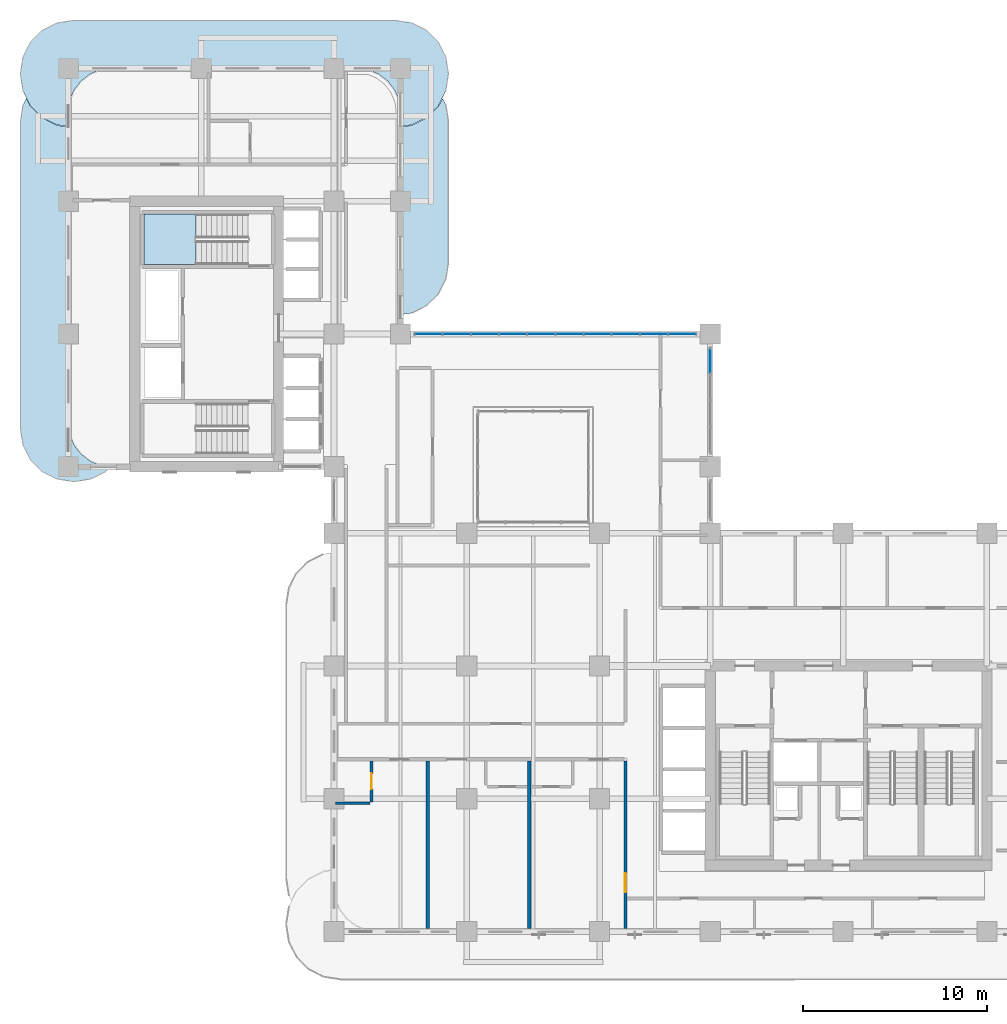
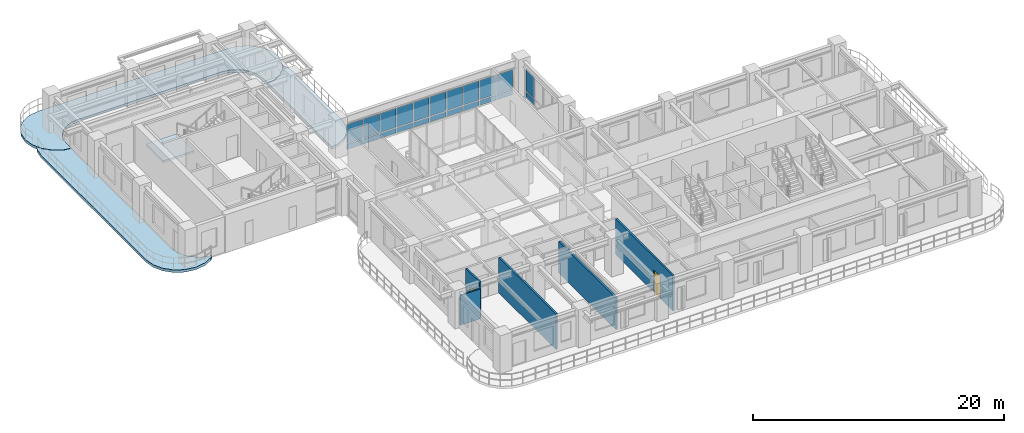
# One storey, part 11 of 22: 22 plates, 5 walls, 4 slabs, 2 doors, 2 openings, 3 elements without a shape of their own.
"""IFC4 building model written with IfcOpenShell, lengths in metres."""

from ifc_helpers import new_model, si_unit, derived_unit, direction, frame, frame_2d, origin, origin_2d, place, context, subcontext, project, spatial, polyline, rectangle, outline, extrude, source, transform, mapped, material, layer, layer_set, type_object, type_shapes, element, fill, aggregate, save


model = new_model("IFC4")

# Units and contexts
model_context = context("Model", 3, precision=1e-05, world=origin(), true_north=direction((0.0, 1.0)))
body_context = subcontext(model_context, "Body", "Model", "MODEL_VIEW")
ifc_project = project(units=[si_unit("LENGTHUNIT", "METRE"), si_unit("AREAUNIT", "SQUARE_METRE"), si_unit("VOLUMEUNIT", "CUBIC_METRE"), si_unit("PLANEANGLEUNIT", "RADIAN"), si_unit("MASSUNIT", "GRAM", prefix="KILO"), si_unit("THERMODYNAMICTEMPERATUREUNIT", "KELVIN"), si_unit("POWERUNIT", "WATT"), derived_unit("THERMALTRANSMITTANCEUNIT", [(si_unit("POWERUNIT", "WATT"), 1), (si_unit("AREAUNIT", "SQUARE_METRE"), -1), (si_unit("THERMODYNAMICTEMPERATUREUNIT", "KELVIN"), -1)])], contexts=[model_context])

# Site, building, storey
site_placement = place(None, origin())
site = spatial("IfcSite", under=ifc_project, at=site_placement, CompositionType="ELEMENT")
building_placement = place(site_placement, origin())
building = spatial("IfcBuilding", under=site, at=building_placement, Name="Zahravan Archway Hotel and Residences", CompositionType="ELEMENT")
storey_placement = place(building_placement, frame((0.0, 0.0, 76.800048828125)))
storey = spatial("IfcBuildingStorey", under=building, at=storey_placement, Name="L18", CompositionType="ELEMENT", Elevation=76.800048828125)

# Slabs
ifc_material_1 = material(Name="Concrete C45/55", Category="concrete")
ifc_layer_1 = layer(ifc_material_1, 0.25, Name="Concrete C45/55", Category="concrete")
ifc_layer_set_1 = layer_set([ifc_layer_1], Name="Concrete C45/55")
slab_type_1 = type_object("IfcSlabType", Name="SLB-BALC-250", PredefinedType="FLOOR", material=ifc_layer_set_1)
slab_1_placement = place(storey_placement, frame((0.0, 0.0, -0.25)))
element("IfcSlab", 1, at=slab_1_placement, inside=storey, type_object=slab_type_1, Name="L18 Wing B North Rounded Balcony Band", PredefinedType="FLOOR", context=body_context, shape_type="SweptSolid", body=[
    extrude(outline(polyline([(-0.630615234375, 43.739501953125), (-1.42529296875, 44.144287109375), (-2.0556640625, 44.77490234375), (-2.46044921875, 45.5693359375), (-2.60009765625, 46.449951171875), (-2.60009765625, 46.550048828125), (-2.46044921875, 47.4306640625), (-2.0556640625, 48.22509765625), (-1.42529296875, 48.855712890625), (-0.630615234375, 49.260498046875), (0.25, 49.39990234375), (17.75, 49.39990234375), (18.630615234375, 49.260498046875), (19.42529296875, 48.855712890625), (20.0556640625, 48.22509765625), (20.46044921875, 47.4306640625), (20.60009765625, 46.550048828125), (20.60009765625, 46.449951171875), (20.46044921875, 45.5693359375), (20.0556640625, 44.77490234375), (19.42529296875, 44.144287109375), (18.630615234375, 43.739501953125), (18.02001953125, 43.642822265625), (18.02001953125, 44.39990234375), (18.019775390625, 44.402587890625), (17.93798828125, 45.023681640625), (17.937744140625, 45.025390625), (17.937255859375, 45.027099609375), (17.936767578125, 45.02880859375), (17.697021484375, 45.607666015625), (17.6962890625, 45.609130859375), (17.6953125, 45.610595703125), (17.6943359375, 45.6123046875), (17.31298828125, 46.109375), (17.311767578125, 46.110595703125), (17.310546875, 46.11181640625), (17.309326171875, 46.113037109375), (16.812255859375, 46.494384765625), (16.810791015625, 46.495361328125), (16.80908203125, 46.49609375), (16.8076171875, 46.4970703125), (16.22900390625, 46.73681640625), (16.227294921875, 46.7373046875), (16.2255859375, 46.73779296875), (16.223876953125, 46.738037109375), (15.6025390625, 46.81982421875), (15.60009765625, 46.820068359375), (2.39990234375, 46.820068359375), (2.3974609375, 46.81982421875), (1.776123046875, 46.738037109375), (1.7744140625, 46.73779296875), (1.772705078125, 46.7373046875), (1.77099609375, 46.73681640625), (1.1923828125, 46.4970703125), (1.19091796875, 46.49609375), (1.189208984375, 46.495361328125), (1.187744140625, 46.494384765625), (0.690673828125, 46.113037109375), (0.689453125, 46.11181640625), (0.688232421875, 46.110595703125), (0.68701171875, 46.109375), (0.3056640625, 45.6123046875), (0.3046875, 45.610595703125), (0.3037109375, 45.609130859375), (0.302978515625, 45.607666015625), (0.063232421875, 45.02880859375), (0.062744140625, 45.027099609375), (0.062255859375, 45.025390625), (0.06201171875, 45.023681640625), (-0.019775390625, 44.402587890625), (-0.02001953125, 44.39990234375), (-0.02001953125, 43.642822265625), (-0.630615234375, 43.739501953125)])), origin(), (0.0, 0.0, 1.0), 0.25),
])
slab_2_placement = place(storey_placement, frame((0.0, 0.0, -0.25)))
element("IfcSlab", 2, at=slab_2_placement, inside=storey, type_object=slab_type_1, Name="L18 Wing B West Rounded Balcony Band", PredefinedType="FLOOR", context=body_context, shape_type="SweptSolid", body=[
    extrude(outline(polyline([(2.025146484375, 24.9443359375), (1.230712890625, 24.53955078125), (0.35009765625, 24.39990234375), (0.25, 24.39990234375), (-0.630615234375, 24.53955078125), (-1.42529296875, 24.9443359375), (-2.0556640625, 25.57470703125), (-2.46044921875, 26.369384765625), (-2.60009765625, 27.25), (-2.60009765625, 43.949951171875), (-2.46044921875, 44.830810546875), (-2.28369140625, 45.177978515625), (-2.073486328125, 44.765625), (-2.072509765625, 44.763916015625), (-2.0712890625, 44.76220703125), (-2.06982421875, 44.7607421875), (-1.439208984375, 44.130126953125), (-1.437744140625, 44.12890625), (-1.43603515625, 44.12744140625), (-1.434326171875, 44.12646484375), (-0.639892578125, 43.7216796875), (-0.637939453125, 43.720703125), (-0.635986328125, 43.72021484375), (-0.6337890625, 43.7197265625), (-0.023193359375, 43.623046875), (-0.021240234375, 43.622802734375), (-0.02001953125, 43.622802734375), (-0.02001953125, 27.60009765625), (-0.019775390625, 27.597412109375), (0.06201171875, 26.976318359375), (0.062255859375, 26.974609375), (0.062744140625, 26.972900390625), (0.063232421875, 26.97119140625), (0.302978515625, 26.392333984375), (0.3037109375, 26.390869140625), (0.3046875, 26.389404296875), (0.3056640625, 26.3876953125), (0.68701171875, 25.890625), (0.688232421875, 25.889404296875), (0.689453125, 25.88818359375), (0.690673828125, 25.886962890625), (1.187744140625, 25.505615234375), (1.189208984375, 25.504638671875), (1.19091796875, 25.50390625), (1.1923828125, 25.5029296875), (1.77099609375, 25.26318359375), (1.772705078125, 25.2626953125), (1.7744140625, 25.26220703125), (1.776123046875, 25.261962890625), (2.27685546875, 25.196044921875), (2.025146484375, 24.9443359375)])), origin(), (0.0, 0.0, 1.0), 0.25),
])
slab_3_placement = place(storey_placement, frame((0.0, 0.0, -0.25)))
element("IfcSlab", 3, at=slab_3_placement, inside=storey, type_object=slab_type_1, Name="L18 Wing B East Rounded Balcony Band", PredefinedType="FLOOR", context=body_context, shape_type="SweptSolid", body=[
    extrude(outline(polyline([(20.46044921875, 44.830810546875), (20.60009765625, 43.949951171875), (20.60009765625, 36.25), (20.46044921875, 35.369384765625), (20.0556640625, 34.57470703125), (19.42529296875, 33.9443359375), (18.630615234375, 33.53955078125), (18.02001953125, 33.44287109375), (18.02001953125, 43.622802734375), (18.021240234375, 43.622802734375), (18.023193359375, 43.623046875), (18.6337890625, 43.7197265625), (18.635986328125, 43.72021484375), (18.637939453125, 43.720703125), (18.639892578125, 43.7216796875), (19.434326171875, 44.12646484375), (19.43603515625, 44.12744140625), (19.437744140625, 44.12890625), (19.439208984375, 44.130126953125), (20.06982421875, 44.7607421875), (20.0712890625, 44.76220703125), (20.072509765625, 44.763916015625), (20.073486328125, 44.765625), (20.28369140625, 45.177978515625), (20.46044921875, 44.830810546875)])), origin(), (0.0, 0.0, 1.0), 0.25),
])

# Stair, slab
ifc_material_2 = material(Name="Concrete C50/60", Category="concrete")
stair_type = type_object("IfcStairType", Name="STR-CORE-1300", PredefinedType="HALF_TURN_STAIR", material=ifc_material_2)
stair_placement = place(storey_placement, origin())
stair = element("IfcStair", 4, at=stair_placement, inside=storey, type_object=stair_type, Name="L18 Core B Exit Stair 2", PredefinedType="HALF_TURN_STAIR")
ifc_layer_2 = layer(ifc_material_2, 0.199951171875, Name="Concrete C50/60", Category="concrete")
ifc_layer_set_2 = layer_set([ifc_layer_2], Name="Concrete C50/60")
slab_type_2 = type_object("IfcSlabType", Name="SLB-LND-200", PredefinedType="LANDING", material=ifc_layer_set_2)
slab_4_placement = place(storey_placement, frame((0.0, 0.0, 1.64990234375)))
slab_4 = element("IfcSlab", 5, at=slab_4_placement, type_object=slab_type_2, Name="ST-B2 landing 1", PredefinedType="LANDING", context=body_context, shape_type="SweptSolid", body=[
    extrude(outline(polyline([(6.929931640625, 38.89990234375), (4.10009765625, 38.89990234375), (4.10009765625, 36.159912109375), (6.929931640625, 36.159912109375), (6.929931640625, 38.89990234375)])), origin(), (0.0, 0.0, 1.0), 0.199951171875),
])
aggregate(stair, [slab_4])

# Curtain wall, plates
ifc_material_3 = material(Name="Bronze-Anodized Unitised Aluminium & Low-E Glass", Category="aluminium")
ifc_layer_3 = layer(ifc_material_3, 0.179931640625, Name="Bronze-Anodized Unitised Aluminium & Low-E Glass", Category="aluminium")
ifc_layer_set_3 = layer_set([ifc_layer_3], Name="Bronze-Anodized Unitised Aluminium & Low-E Glass")
curtain_wall_type = type_object("IfcCurtainWallType", Name="CW-ATR-GLAZ", PredefinedType="NOTDEFINED", material=ifc_layer_set_3)
curtain_wall_1_placement = place(storey_placement, origin())
curtain_wall_1 = element("IfcCurtainWall", 6, at=curtain_wall_1_placement, inside=storey, type_object=curtain_wall_type, Name="L18 Curtain Wall CW-L18-HNG-E-2", PredefinedType="NOTDEFINED")
ifc_material_4 = material(Name="Insulated Terracotta Spandrel Panel", Category="masonry")
ifc_layer_4 = layer(ifc_material_4, 0.0400390625, Name="Insulated Terracotta Spandrel Panel", Category="masonry")
ifc_layer_set_4 = layer_set([ifc_layer_4], Name="Insulated Terracotta Spandrel Panel")
plate_type_1 = type_object("IfcPlateType", Name="CWP-SPN-40", PredefinedType="SHEET", material=ifc_layer_set_4)
shared_shape_1 = source(origin(), body_context, "Body", "SweptSolid", [
    extrude(rectangle(XDim=1.340087890625, YDim=0.0400390625, at=origin_2d()), origin(), (0.0, 0.0, 1.0), 0.552490234375),
])
plate_1_placement = place(storey_placement, frame((34.800048828125, 30.929931640625, 0.10009765625), z_axis=(0.0, 0.0, 1.0), x_axis=(0.0, 1.0, 0.0)))
plate_1 = element("IfcPlate", 7, at=plate_1_placement, type_object=plate_type_1, Name="CW-L18-HNG-E-2 Spandrel Panel 3", PredefinedType="SHEET", context=body_context, shape_type="MappedRepresentation", body=[
    mapped(shared_shape_1, transform((0.0, 0.0, 0.0), scale=1.0)),
])
ifc_material_5 = material(Name="Double-Silver Low-E Insulated Vision Glass", Category="glass")
ifc_layer_5 = layer(ifc_material_5, 0.028076171875, Name="Double-Silver Low-E Insulated Vision Glass", Category="glass")
ifc_layer_set_5 = layer_set([ifc_layer_5], Name="Double-Silver Low-E Insulated Vision Glass")
plate_type_2 = type_object("IfcPlateType", Name="CWP-GLZ-28", PredefinedType="CURTAIN_PANEL", material=ifc_layer_set_5)
shared_shape_2 = source(origin(), body_context, "Body", "SweptSolid", [
    extrude(rectangle(XDim=1.340087890625, YDim=0.028076171875, at=origin_2d()), origin(), (0.0, 0.0, 1.0), 2.052490234375),
])
plate_2_placement = place(storey_placement, frame((34.800048828125, 30.929931640625, 0.732421875), z_axis=(0.0, 0.0, 1.0), x_axis=(0.0, 1.0, 0.0)))
plate_2 = element("IfcPlate", 8, at=plate_2_placement, type_object=plate_type_2, Name="CW-L18-HNG-E-2 Low-E Vision Panel 3", PredefinedType="CURTAIN_PANEL", context=body_context, shape_type="MappedRepresentation", body=[
    mapped(shared_shape_2, transform((0.0, 0.0, 0.0), scale=1.0)),
])
aggregate(curtain_wall_1, [plate_1, plate_2])

curtain_wall_2_placement = place(storey_placement, origin())
curtain_wall_2 = element("IfcCurtainWall", 9, at=curtain_wall_2_placement, inside=storey, type_object=curtain_wall_type, Name="L18 Curtain Wall CW-L18-HNG-N-1", PredefinedType="NOTDEFINED")
shared_shape_3 = source(origin(), body_context, "Body", "SweptSolid", [
    extrude(rectangle(XDim=1.447998046875, YDim=0.0400390625, at=origin_2d()), origin(), (0.0, 0.0, 1.0), 0.492431640625),
])
plate_3_placement = place(storey_placement, frame((19.52392578125, 32.39990234375, 0.10009765625), z_axis=(0.0, 0.0, 1.0), x_axis=(1.0, 0.0, 0.0)))
plate_3 = element("IfcPlate", 10, at=plate_3_placement, type_object=plate_type_1, Name="CW-L18-HNG-N-1 Spandrel Panel 0", PredefinedType="SHEET", context=body_context, shape_type="MappedRepresentation", body=[
    mapped(shared_shape_3, transform((0.0, 0.0, 0.0), scale=1.0)),
])
plate_4_placement = place(storey_placement, frame((21.052001953125, 32.39990234375, 0.10009765625), z_axis=(0.0, 0.0, 1.0), x_axis=(1.0, 0.0, 0.0)))
plate_4 = element("IfcPlate", 11, at=plate_4_placement, type_object=plate_type_1, Name="CW-L18-HNG-N-1 Spandrel Panel 1", PredefinedType="SHEET", context=body_context, shape_type="MappedRepresentation", body=[
    mapped(shared_shape_3, transform((0.0, 0.0, 0.0), scale=1.0)),
])
plate_5_placement = place(storey_placement, frame((22.580078125, 32.39990234375, 0.10009765625), z_axis=(0.0, 0.0, 1.0), x_axis=(1.0, 0.0, 0.0)))
plate_5 = element("IfcPlate", 12, at=plate_5_placement, type_object=plate_type_1, Name="CW-L18-HNG-N-1 Spandrel Panel 2", PredefinedType="SHEET", context=body_context, shape_type="MappedRepresentation", body=[
    mapped(shared_shape_3, transform((0.0, 0.0, 0.0), scale=1.0)),
])
plate_6_placement = place(storey_placement, frame((24.10791015625, 32.39990234375, 0.10009765625), z_axis=(0.0, 0.0, 1.0), x_axis=(1.0, 0.0, 0.0)))
plate_6 = element("IfcPlate", 13, at=plate_6_placement, type_object=plate_type_1, Name="CW-L18-HNG-N-1 Spandrel Panel 3", PredefinedType="SHEET", context=body_context, shape_type="MappedRepresentation", body=[
    mapped(shared_shape_3, transform((0.0, 0.0, 0.0), scale=1.0)),
])
plate_7_placement = place(storey_placement, frame((25.635986328125, 32.39990234375, 0.10009765625), z_axis=(0.0, 0.0, 1.0), x_axis=(1.0, 0.0, 0.0)))
plate_7 = element("IfcPlate", 14, at=plate_7_placement, type_object=plate_type_1, Name="CW-L18-HNG-N-1 Spandrel Panel 4", PredefinedType="SHEET", context=body_context, shape_type="MappedRepresentation", body=[
    mapped(shared_shape_3, transform((0.0, 0.0, 0.0), scale=1.0)),
])
plate_8_placement = place(storey_placement, frame((27.1640625, 32.39990234375, 0.10009765625), z_axis=(0.0, 0.0, 1.0), x_axis=(1.0, 0.0, 0.0)))
plate_8 = element("IfcPlate", 15, at=plate_8_placement, type_object=plate_type_1, Name="CW-L18-HNG-N-1 Spandrel Panel 5", PredefinedType="SHEET", context=body_context, shape_type="MappedRepresentation", body=[
    mapped(shared_shape_3, transform((0.0, 0.0, 0.0), scale=1.0)),
])
plate_9_placement = place(storey_placement, frame((28.69189453125, 32.39990234375, 0.10009765625), z_axis=(0.0, 0.0, 1.0), x_axis=(1.0, 0.0, 0.0)))
plate_9 = element("IfcPlate", 16, at=plate_9_placement, type_object=plate_type_1, Name="CW-L18-HNG-N-1 Spandrel Panel 6", PredefinedType="SHEET", context=body_context, shape_type="MappedRepresentation", body=[
    mapped(shared_shape_3, transform((0.0, 0.0, 0.0), scale=1.0)),
])
plate_10_placement = place(storey_placement, frame((30.219970703125, 32.39990234375, 0.10009765625), z_axis=(0.0, 0.0, 1.0), x_axis=(1.0, 0.0, 0.0)))
plate_10 = element("IfcPlate", 17, at=plate_10_placement, type_object=plate_type_1, Name="CW-L18-HNG-N-1 Spandrel Panel 7", PredefinedType="SHEET", context=body_context, shape_type="MappedRepresentation", body=[
    mapped(shared_shape_3, transform((0.0, 0.0, 0.0), scale=1.0)),
])
plate_11_placement = place(storey_placement, frame((31.748046875, 32.39990234375, 0.10009765625), z_axis=(0.0, 0.0, 1.0), x_axis=(1.0, 0.0, 0.0)))
plate_11 = element("IfcPlate", 18, at=plate_11_placement, type_object=plate_type_1, Name="CW-L18-HNG-N-1 Spandrel Panel 8", PredefinedType="SHEET", context=body_context, shape_type="MappedRepresentation", body=[
    mapped(shared_shape_3, transform((0.0, 0.0, 0.0), scale=1.0)),
])
plate_12_placement = place(storey_placement, frame((33.27587890625, 32.39990234375, 0.10009765625), z_axis=(0.0, 0.0, 1.0), x_axis=(1.0, 0.0, 0.0)))
plate_12 = element("IfcPlate", 19, at=plate_12_placement, type_object=plate_type_1, Name="CW-L18-HNG-N-1 Spandrel Panel 9", PredefinedType="SHEET", context=body_context, shape_type="MappedRepresentation", body=[
    mapped(shared_shape_3, transform((0.0, 0.0, 0.0), scale=1.0)),
])
shared_shape_4 = source(origin(), body_context, "Body", "SweptSolid", [
    extrude(rectangle(XDim=1.447998046875, YDim=0.028076171875, at=origin_2d()), origin(), (0.0, 0.0, 1.0), 1.862548828125),
])
plate_13_placement = place(storey_placement, frame((19.52392578125, 32.39990234375, 0.67236328125), z_axis=(0.0, 0.0, 1.0), x_axis=(1.0, 0.0, 0.0)))
plate_13 = element("IfcPlate", 20, at=plate_13_placement, type_object=plate_type_2, Name="CW-L18-HNG-N-1 Low-E Vision Panel 0", PredefinedType="CURTAIN_PANEL", context=body_context, shape_type="MappedRepresentation", body=[
    mapped(shared_shape_4, transform((0.0, 0.0, 0.0), scale=1.0)),
])
plate_14_placement = place(storey_placement, frame((21.052001953125, 32.39990234375, 0.67236328125), z_axis=(0.0, 0.0, 1.0), x_axis=(1.0, 0.0, 0.0)))
plate_14 = element("IfcPlate", 21, at=plate_14_placement, type_object=plate_type_2, Name="CW-L18-HNG-N-1 Low-E Vision Panel 1", PredefinedType="CURTAIN_PANEL", context=body_context, shape_type="MappedRepresentation", body=[
    mapped(shared_shape_4, transform((0.0, 0.0, 0.0), scale=1.0)),
])
plate_15_placement = place(storey_placement, frame((22.580078125, 32.39990234375, 0.67236328125), z_axis=(0.0, 0.0, 1.0), x_axis=(1.0, 0.0, 0.0)))
plate_15 = element("IfcPlate", 22, at=plate_15_placement, type_object=plate_type_2, Name="CW-L18-HNG-N-1 Low-E Vision Panel 2", PredefinedType="CURTAIN_PANEL", context=body_context, shape_type="MappedRepresentation", body=[
    mapped(shared_shape_4, transform((0.0, 0.0, 0.0), scale=1.0)),
])
plate_16_placement = place(storey_placement, frame((24.10791015625, 32.39990234375, 0.67236328125), z_axis=(0.0, 0.0, 1.0), x_axis=(1.0, 0.0, 0.0)))
plate_16 = element("IfcPlate", 23, at=plate_16_placement, type_object=plate_type_2, Name="CW-L18-HNG-N-1 Low-E Vision Panel 3", PredefinedType="CURTAIN_PANEL", context=body_context, shape_type="MappedRepresentation", body=[
    mapped(shared_shape_4, transform((0.0, 0.0, 0.0), scale=1.0)),
])
plate_17_placement = place(storey_placement, frame((25.635986328125, 32.39990234375, 0.67236328125), z_axis=(0.0, 0.0, 1.0), x_axis=(1.0, 0.0, 0.0)))
plate_17 = element("IfcPlate", 24, at=plate_17_placement, type_object=plate_type_2, Name="CW-L18-HNG-N-1 Low-E Vision Panel 4", PredefinedType="CURTAIN_PANEL", context=body_context, shape_type="MappedRepresentation", body=[
    mapped(shared_shape_4, transform((0.0, 0.0, 0.0), scale=1.0)),
])
plate_18_placement = place(storey_placement, frame((27.1640625, 32.39990234375, 0.67236328125), z_axis=(0.0, 0.0, 1.0), x_axis=(1.0, 0.0, 0.0)))
plate_18 = element("IfcPlate", 25, at=plate_18_placement, type_object=plate_type_2, Name="CW-L18-HNG-N-1 Low-E Vision Panel 5", PredefinedType="CURTAIN_PANEL", context=body_context, shape_type="MappedRepresentation", body=[
    mapped(shared_shape_4, transform((0.0, 0.0, 0.0), scale=1.0)),
])
plate_19_placement = place(storey_placement, frame((28.69189453125, 32.39990234375, 0.67236328125), z_axis=(0.0, 0.0, 1.0), x_axis=(1.0, 0.0, 0.0)))
plate_19 = element("IfcPlate", 26, at=plate_19_placement, type_object=plate_type_2, Name="CW-L18-HNG-N-1 Low-E Vision Panel 6", PredefinedType="CURTAIN_PANEL", context=body_context, shape_type="MappedRepresentation", body=[
    mapped(shared_shape_4, transform((0.0, 0.0, 0.0), scale=1.0)),
])
plate_20_placement = place(storey_placement, frame((30.219970703125, 32.39990234375, 0.67236328125), z_axis=(0.0, 0.0, 1.0), x_axis=(1.0, 0.0, 0.0)))
plate_20 = element("IfcPlate", 27, at=plate_20_placement, type_object=plate_type_2, Name="CW-L18-HNG-N-1 Low-E Vision Panel 7", PredefinedType="CURTAIN_PANEL", context=body_context, shape_type="MappedRepresentation", body=[
    mapped(shared_shape_4, transform((0.0, 0.0, 0.0), scale=1.0)),
])
plate_21_placement = place(storey_placement, frame((31.748046875, 32.39990234375, 0.67236328125), z_axis=(0.0, 0.0, 1.0), x_axis=(1.0, 0.0, 0.0)))
plate_21 = element("IfcPlate", 28, at=plate_21_placement, type_object=plate_type_2, Name="CW-L18-HNG-N-1 Low-E Vision Panel 8", PredefinedType="CURTAIN_PANEL", context=body_context, shape_type="MappedRepresentation", body=[
    mapped(shared_shape_4, transform((0.0, 0.0, 0.0), scale=1.0)),
])
plate_22_placement = place(storey_placement, frame((33.27587890625, 32.39990234375, 0.67236328125), z_axis=(0.0, 0.0, 1.0), x_axis=(1.0, 0.0, 0.0)))
plate_22 = element("IfcPlate", 29, at=plate_22_placement, type_object=plate_type_2, Name="CW-L18-HNG-N-1 Low-E Vision Panel 9", PredefinedType="CURTAIN_PANEL", context=body_context, shape_type="MappedRepresentation", body=[
    mapped(shared_shape_4, transform((0.0, 0.0, 0.0), scale=1.0)),
])
aggregate(curtain_wall_2, [plate_3, plate_13, plate_4, plate_14, plate_5, plate_15, plate_6, plate_16, plate_7, plate_17, plate_8, plate_18, plate_9, plate_19, plate_10, plate_20, plate_11, plate_21, plate_12, plate_22])

# Wall, opening, door
ifc_material_6 = material(Name="Fire-Rated Gypsum & Concrete Block", Category="concrete")
ifc_layer_6 = layer(ifc_material_6, 0.159912109375, Name="Fire-Rated Gypsum & Concrete Block", Category="concrete")
ifc_layer_set_6 = layer_set([ifc_layer_6], Name="Fire-Rated Gypsum & Concrete Block")
wall_type_1 = type_object("IfcWallType", Name="PW-CORR-160", PredefinedType="PARTITIONING", material=ifc_layer_set_6)
wall_1_placement = place(storey_placement, frame((30.199951171875, 0.16796875, 0.0), z_axis=(0.0, 0.0, 1.0), x_axis=(0.0, 1.0, 0.0)))
wall_1 = element("IfcWall", 30, at=wall_1_placement, inside=storey, type_object=wall_type_1, Name="L18 Partition WA-SRW", PredefinedType="PARTITIONING", context=body_context, shape_type="SweptSolid", body=[
    extrude(rectangle(XDim=9.092041015625, YDim=0.159912109375, at=frame_2d((4.5458984375, 0.0))), origin(), (0.0, 0.0, 1.0), 3.449951171875),
])
opening_1_placement = place(wall_1_placement, frame((1.95703125, 0.0, 0.0)))
opening_1 = element("IfcOpeningElement", 31, at=opening_1_placement, cuts=wall_1, Name="Opening FD-L2", PredefinedType="OPENING", context=body_context, shape_type="SweptSolid", body=[
    extrude(rectangle(XDim=1.050048828125, YDim=2.14990234375, at=frame_2d((0.52490234375, 1.074951171875))), frame((0.0, 0.08984375, 0.0), z_axis=(0.0, -1.0, 0.0), x_axis=(1.0, 0.0, 0.0)), (0.0, 0.0, 1.0), 0.179931640625),
])
ifc_material_7 = material(Name="Fire-Rated Painted Steel", Category="steel")
door_type_1 = type_object("IfcDoorType", Name="FD-LOBBY-1100", OperationType="NOTDEFINED", PredefinedType="DOOR", material=ifc_material_7)
shared_shape_5 = source(origin(), body_context, "Body", "SweptSolid", [
    extrude(rectangle(XDim=1.050048828125, YDim=2.14990234375, at=frame_2d((0.52490234375, 1.074951171875))), frame((0.0, 0.02490234375, 0.0), z_axis=(0.0, -1.0, 0.0), x_axis=(1.0, 0.0, 0.0)), (0.0, 0.0, 1.0), 0.050048828125),
])
type_shapes(door_type_1, [shared_shape_5])
door_1_placement = place(opening_1_placement, origin())
door_1 = element("IfcDoor", 32, at=door_1_placement, inside=storey, type_object=door_type_1, Name="L18 South Riser Corridor Door", OperationType="SINGLE_SWING_LEFT", OverallHeight=2.14990234375, OverallWidth=1.050048828125, PredefinedType="DOOR", context=body_context, shape_type="MappedRepresentation", body=[
    mapped(shared_shape_5, transform((0.0, 0.0, 0.0), scale=1.0)),
])
fill(opening_1, door_1)

# Walls
ifc_material_8 = material(Name="Acoustic Stud Partition")
ifc_layer_7 = layer(ifc_material_8, 0.169921875, Name="Acoustic Stud Partition")
ifc_layer_set_7 = layer_set([ifc_layer_7], Name="Acoustic Stud Partition")
wall_type_2 = type_object("IfcWallType", Name="PW-UNIT-170", PredefinedType="PARTITIONING", material=ifc_layer_set_7)
wall_2_placement = place(storey_placement, frame((19.47998046875, 0.16796875, 0.0), z_axis=(0.0, 0.0, 1.0), x_axis=(0.0, 1.0, 0.0)))
element("IfcWall", 33, at=wall_2_placement, inside=storey, type_object=wall_type_2, Name="L18 Partition WAS-0A", PredefinedType="PARTITIONING", context=body_context, shape_type="SweptSolid", body=[
    extrude(rectangle(XDim=9.092041015625, YDim=0.169921875, at=frame_2d((4.5458984375, 0.0))), origin(), (0.0, 0.0, 1.0), 3.449951171875),
])
wall_3_placement = place(storey_placement, frame((24.986083984375, 0.16796875, 0.0), z_axis=(0.0, 0.0, 1.0), x_axis=(0.0, 1.0, 0.0)))
element("IfcWall", 34, at=wall_3_placement, inside=storey, type_object=wall_type_2, Name="L18 Partition WAS-0B", PredefinedType="PARTITIONING", context=body_context, shape_type="SweptSolid", body=[
    extrude(rectangle(XDim=9.092041015625, YDim=0.169921875, at=frame_2d((4.5458984375, 0.0))), origin(), (0.0, 0.0, 1.0), 3.074951171875),
])

# Wall, opening, door
ifc_material_9 = material(Name="Moisture-Resistant Blockwork", Category="masonry")
ifc_layer_8 = layer(ifc_material_9, 0.139892578125, Name="Moisture-Resistant Blockwork", Category="masonry")
ifc_layer_set_8 = layer_set([ifc_layer_8], Name="Moisture-Resistant Blockwork")
wall_type_3 = type_object("IfcWallType", Name="PW-WET-140", PredefinedType="PARTITIONING", material=ifc_layer_set_8)
wall_4_placement = place(storey_placement, frame((16.431884765625, 7.0400390625, 0.0), z_axis=(0.0, 0.0, 1.0), x_axis=(0.0, 1.0, 0.0)))
wall_4 = element("IfcWall", 35, at=wall_4_placement, inside=storey, type_object=wall_type_3, Name="L18 Partition HKB-V1", PredefinedType="PARTITIONING", context=body_context, shape_type="SweptSolid", body=[
    extrude(rectangle(XDim=2.219970703125, YDim=0.139892578125, at=frame_2d((1.10986328125, 0.0))), origin(), (0.0, 0.0, 1.0), 3.449951171875),
])
opening_2_placement = place(wall_4_placement, frame((0.68505859375, 0.0, 0.0)))
opening_2 = element("IfcOpeningElement", 36, at=opening_2_placement, cuts=wall_4, Name="Opening D-B1", PredefinedType="OPENING", context=body_context, shape_type="SweptSolid", body=[
    extrude(rectangle(XDim=0.85009765625, YDim=2.10009765625, at=frame_2d((0.425048828125, 1.050048828125))), frame((0.0, 0.080078125, 0.0), z_axis=(0.0, -1.0, 0.0), x_axis=(1.0, 0.0, 0.0)), (0.0, 0.0, 1.0), 0.159912109375),
])
ifc_material_10 = material(Name="Hardwood Veneer Timber", Category="wood")
door_type_2 = type_object("IfcDoorType", Name="ID-BATH-850", OperationType="NOTDEFINED", PredefinedType="DOOR", material=ifc_material_10)
shared_shape_6 = source(origin(), body_context, "Body", "SweptSolid", [
    extrude(rectangle(XDim=0.85009765625, YDim=2.10009765625, at=frame_2d((0.425048828125, 1.050048828125))), frame((0.0, 0.02490234375, 0.0), z_axis=(0.0, -1.0, 0.0), x_axis=(1.0, 0.0, 0.0)), (0.0, 0.0, 1.0), 0.050048828125),
])
type_shapes(door_type_2, [shared_shape_6])
door_2_placement = place(opening_2_placement, origin())
door_2 = element("IfcDoor", 37, at=door_2_placement, inside=storey, type_object=door_type_2, Name="L18 Guestroom 1 En-Suite Door", OperationType="SINGLE_SWING_RIGHT", OverallHeight=2.10009765625, OverallWidth=0.85009765625, PredefinedType="DOOR", context=body_context, shape_type="MappedRepresentation", body=[
    mapped(shared_shape_6, transform((0.0, 0.0, 0.0), scale=1.0)),
])
fill(opening_2, door_2)

# Wall
wall_5_placement = place(storey_placement, frame((14.489990234375, 6.949951171875, 0.0), z_axis=(0.0, 0.0, 1.0), x_axis=(1.0, 0.0, 0.0)))
element("IfcWall", 38, at=wall_5_placement, inside=storey, type_object=wall_type_3, Name="L18 Partition HKB-H1", PredefinedType="PARTITIONING", context=body_context, shape_type="SweptSolid", body=[
    extrude(rectangle(XDim=1.85205078125, YDim=0.139892578125, at=frame_2d((0.926025390625, 0.0))), origin(), (0.0, 0.0, 1.0), 2.885009765625),
])

save(model, "model.ifc")
